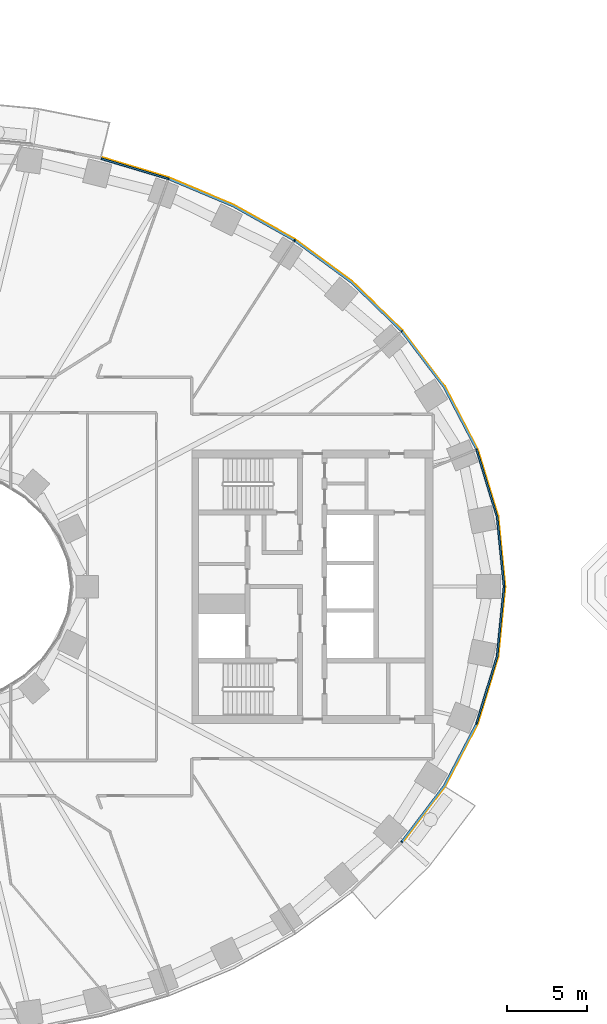
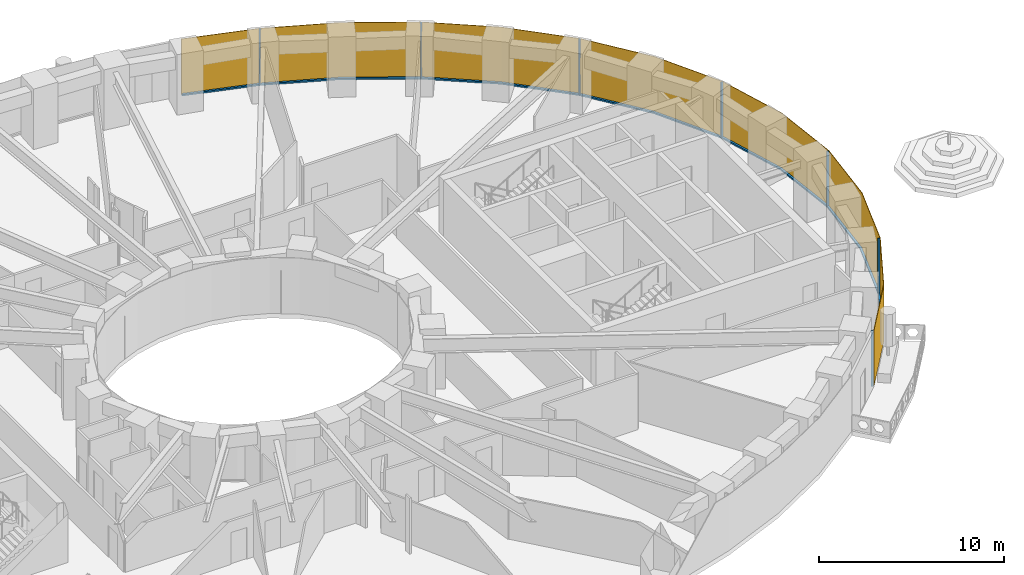
# One storey, part 12 of 20: 14 members, 1 curtain wall.
"""IFC4 building model written with IfcOpenShell, lengths in metres."""

import ifcopenshell
import ifcopenshell.guid

model = None  # the IFC model being written
_history = None  # IfcOwnerHistory: only IFC2X3 demands one
_inside = {}  # id of a spatial element -> (the spatial element, [elements in it])
_under = {}  # id of a project, library or spatial element -> (it, [spatial elements below it])
_declared = {}  # id of a project -> (the project, [libraries it declares])
_typed = {}  # id of a type object -> (the type object, [elements of that type])
_made_of = {}  # id of a material, layer set ... -> (it, [elements and type objects made of it])


def new_model(schema):
    """Start an empty IFC model of exactly this schema.

    Asked for "IFC4X3", IfcOpenShell would pick the latest addendum, in which some entities
    have other attributes; the version numbers below select the first issue.
    IFC2X3 requires an IfcOwnerHistory on every rooted entity: one is made here for all.
    """
    global model, _history
    if schema == "IFC4X3":
        model = ifcopenshell.file(schema_version=(4, 3, 0, 0))
    else:
        model = ifcopenshell.file(schema=schema)
    _inside.clear()
    _under.clear()
    _declared.clear()
    _typed.clear()
    _made_of.clear()
    _history = None
    if model.schema == "IFC2X3":
        org = make("IfcOrganization", Name="unknown")
        user = make(
            "IfcPersonAndOrganization",
            ThePerson=make("IfcPerson", FamilyName="unknown"),
            TheOrganization=org,
        )
        app = make(
            "IfcApplication",
            ApplicationDeveloper=org,
            Version="unknown",
            ApplicationFullName="unknown",
            ApplicationIdentifier="unknown",
        )
        _history = make(
            "IfcOwnerHistory",
            OwningUser=user,
            OwningApplication=app,
            ChangeAction="ADDED",
            CreationDate=0,
        )
    return model


def make(cls, **values):
    """One entity of the class cls with the attributes given. An attribute that is None is left unset."""
    return model.create_entity(
        cls, **{name: value for name, value in values.items() if value is not None}
    )


def rooted(cls, **values):
    """An entity with a GlobalId (a new one), such as an element, a storey or a relation."""
    return make(cls, GlobalId=ifcopenshell.guid.new(), OwnerHistory=_history, **values)


def si_unit(unit_type, name, prefix=None):
    """IfcSIUnit, for example si_unit("LENGTHUNIT", "METRE", prefix="MILLI")."""
    return make("IfcSIUnit", UnitType=unit_type, Prefix=prefix, Name=name)


def assignment(units):
    """IfcUnitAssignment: the units of a project."""
    return None if units is None else make("IfcUnitAssignment", Units=units)


def point(xyz):
    """IfcCartesianPoint."""
    return None if xyz is None else make("IfcCartesianPoint", Coordinates=xyz)


def direction(xyz):
    """IfcDirection."""
    return None if xyz is None else make("IfcDirection", DirectionRatios=xyz)


def frame(location, z_axis=None, x_axis=None):
    """IfcAxis2Placement3D, a coordinate frame: its origin and axes. An axis left out is left unset."""
    return make(
        "IfcAxis2Placement3D",
        Location=point(location),
        Axis=direction(z_axis),
        RefDirection=direction(x_axis),
    )


def frame_2d(location, x_axis=None):
    """IfcAxis2Placement2D, a coordinate frame in the plane: its origin and x axis."""
    return make(
        "IfcAxis2Placement2D", Location=point(location), RefDirection=direction(x_axis)
    )


def origin():
    """The frame at (0, 0, 0) with its axes left unset."""
    return frame((0.0, 0.0, 0.0))


def origin_2d():
    """The frame at (0, 0) in the plane with its x axis left unset."""
    return frame_2d((0.0, 0.0))


def place(relative_to, where):
    """IfcLocalPlacement: puts the frame where relative to a parent placement (None: the world)."""
    return make(
        "IfcLocalPlacement", PlacementRelTo=relative_to, RelativePlacement=where
    )


def context(
    kind, dimensions, precision=None, world=None, true_north=None, identifier=None
):
    """IfcGeometricRepresentationContext, for example the 3D "Model" context."""
    return make(
        "IfcGeometricRepresentationContext",
        ContextIdentifier=identifier,
        ContextType=kind,
        CoordinateSpaceDimension=dimensions,
        Precision=precision,
        WorldCoordinateSystem=world,
        TrueNorth=true_north,
    )


def subcontext(parent, identifier, kind, view, scale=None):
    """IfcGeometricRepresentationSubContext, for example "Body" below "Model"."""
    return make(
        "IfcGeometricRepresentationSubContext",
        ContextIdentifier=identifier,
        ContextType=kind,
        ParentContext=parent,
        TargetScale=scale,
        TargetView=view,
    )


def project(units=None, contexts=None):
    """IfcProject with its units and contexts."""
    return rooted(
        "IfcProject",
        Name="project",
        RepresentationContexts=contexts,
        UnitsInContext=assignment(units),
    )


def spatial(cls, under=None, at=None, **own):
    """A site, building, storey or space (cls), placed at a placement, below another one or the project."""
    s = rooted(cls, ObjectPlacement=at, **own)
    if under is not None:
        _under.setdefault(under.id(), (under, []))[1].append(s)
    return s


def polyline(points):
    """IfcPolyline through the points."""
    return make("IfcPolyline", Points=[point(p) for p in points])


def profile(cls, at=None, kind="AREA", **sizes):
    """A parametric profile (cls). Its sizes go by their IFC names, for example OverallWidth=200.0."""
    return make(cls, ProfileType=kind, Position=at, **sizes)


def rectangle(**sizes):
    """IfcRectangleProfileDef."""
    return profile("IfcRectangleProfileDef", **sizes)


def outline(outer, holes=None, kind="AREA"):
    """IfcArbitraryClosedProfileDef: a profile drawn as a closed curve; with holes, ...WithVoids."""
    if holes is None:
        return make("IfcArbitraryClosedProfileDef", ProfileType=kind, OuterCurve=outer)
    return make(
        "IfcArbitraryProfileDefWithVoids",
        ProfileType=kind,
        OuterCurve=outer,
        InnerCurves=holes,
    )


def extrude(swept, where, along, depth):
    """IfcExtrudedAreaSolid: the profile swept, set in the frame where, extruded along a direction by depth."""
    return make(
        "IfcExtrudedAreaSolid",
        SweptArea=swept,
        Position=where,
        ExtrudedDirection=direction(along),
        Depth=depth,
    )


def shape(context_of_items, identifier, shape_type, items):
    """IfcShapeRepresentation: the items that make up one representation, for example the "Body"."""
    return make(
        "IfcShapeRepresentation",
        ContextOfItems=context_of_items,
        RepresentationIdentifier=identifier,
        RepresentationType=shape_type,
        Items=items,
    )


def material(Name=None, Category=None):
    """IfcMaterial."""
    return make("IfcMaterial", Name=Name, Category=Category)


def layer(
    of_material, thickness, ventilated=None, Name=None, Category=None, Priority=None
):
    """IfcMaterialLayer: one layer of a wall or slab, of a material (None: an air gap)."""
    return make(
        "IfcMaterialLayer",
        Material=of_material,
        LayerThickness=thickness,
        IsVentilated=ventilated,
        Name=Name,
        Category=Category,
        Priority=Priority,
    )


def layer_set(layers, Name=None):
    """IfcMaterialLayerSet."""
    return make("IfcMaterialLayerSet", MaterialLayers=layers, LayerSetName=Name)


def material_profile(
    of_material, cross_section, Name=None, Category=None, Priority=None
):
    """IfcMaterialProfile: a cross section and its material."""
    return make(
        "IfcMaterialProfile",
        Name=Name,
        Material=of_material,
        Profile=cross_section,
        Priority=Priority,
        Category=Category,
    )


def profile_set(profiles, Name=None, composite=None):
    """IfcMaterialProfileSet."""
    return make(
        "IfcMaterialProfileSet",
        Name=Name,
        MaterialProfiles=profiles,
        CompositeProfile=composite,
    )


def made_of(thing, what):
    """Note that an element or type object is made of a material, layer set ...; save() writes the relation."""
    if what is not None:
        _made_of.setdefault(what.id(), (what, []))[1].append(thing)
    return thing


def type_object(cls, material=None, **own):
    """A type object (cls), such as IfcWallType, which elements share."""
    return made_of(rooted(cls, **own), material)


def element(
    cls,
    number,
    at=None,
    inside=None,
    cuts=None,
    type_object=None,
    material=None,
    context=None,
    identifier="Body",
    shape_type=None,
    held_by="IfcProductDefinitionShape",
    body=None,
    shapes=None,
    **own,
):
    """One element of the class cls, such as IfcWall. Its Tag is "e" and its number.

    at: its placement. inside: the storey or other place that contains it. cuts: it is an
    opening in that element (IfcRelVoidsElement). A single representation is given by context,
    identifier, shape_type and body (its items); several are given by shapes. held_by: the class
    of the entity that holds the representations. save() writes the other relations.
    """
    e = rooted(cls, Tag="e%d" % number, ObjectPlacement=at, **own)
    if body is not None:
        shapes = [shape(context, identifier, shape_type, body)]
    if shapes is not None:
        e.Representation = make(held_by, Representations=shapes)
    if inside is not None:
        _inside.setdefault(inside.id(), (inside, []))[1].append(e)
    if cuts is not None:
        rooted(
            "IfcRelVoidsElement", RelatingBuildingElement=cuts, RelatedOpeningElement=e
        )
    if type_object is not None:
        _typed.setdefault(type_object.id(), (type_object, []))[1].append(e)
    return made_of(e, material)


def aggregate(whole, parts):
    """IfcRelAggregates: a whole, such as a stair, and the parts it consists of."""
    return rooted("IfcRelAggregates", RelatingObject=whole, RelatedObjects=parts)


def save(model, path):
    """Write the relations noted so far, then the file.

    IfcRelAggregates (storeys below a building ...), IfcRelContainedInSpatialStructure (elements
    in a storey), IfcRelDefinesByType, IfcRelAssociatesMaterial and IfcRelDeclares: one each for
    every whole, place, type object, material and project.
    """
    for whole, parts in _under.values():
        aggregate(whole, parts)
    for where, things in _inside.values():
        rooted(
            "IfcRelContainedInSpatialStructure",
            RelatedElements=things,
            RelatingStructure=where,
        )
    for kind, things in _typed.values():
        rooted("IfcRelDefinesByType", RelatedObjects=things, RelatingType=kind)
    for what, things in _made_of.values():
        rooted("IfcRelAssociatesMaterial", RelatedObjects=things, RelatingMaterial=what)
    for by, libraries in _declared.values():
        rooted("IfcRelDeclares", RelatingContext=by, RelatedDefinitions=libraries)
    model.write(path)


model = new_model("IFC4")

# Units and contexts
model_context = context("Model", 3, precision=1e-05, world=origin(), true_north=direction((0.0, 1.0)))
body_context = subcontext(model_context, "Body", "Model", "MODEL_VIEW")
ifc_project = project(units=[si_unit("LENGTHUNIT", "METRE"), si_unit("AREAUNIT", "SQUARE_METRE"), si_unit("VOLUMEUNIT", "CUBIC_METRE"), si_unit("PLANEANGLEUNIT", "RADIAN"), si_unit("MASSUNIT", "GRAM", prefix="KILO")], contexts=[model_context])

# Member
ifc_material_1 = material(Name="Aluminium 6063-T6 black anodised", Category="aluminium")
ifc_material_profile = material_profile(ifc_material_1, rectangle(XDim=0.1201171875, YDim=0.06005859375, at=origin_2d()), Name="120x60")
ifc_profile_set = profile_set([ifc_material_profile], Name="Aluminium 6063-T6 black anodised")
member_type_1 = type_object("IfcMemberType", Name="ENV-MULLION-A-120", PredefinedType="MULLION", material=ifc_profile_set)
site_placement = place(None, origin())
building_placement = place(site_placement, origin())
storey_placement = place(building_placement, frame((0.0, 0.0, 34.5)))
member_1_placement = place(storey_placement, frame((29.53857421875, -15.8671875, 0.0), z_axis=(0.0, 0.0, 1.0), x_axis=(-0.749047221705, 0.662516610853, 0.0)))
member_1 = element("IfcMember", 1, at=member_1_placement, type_object=member_type_1, Name="Mullion A radial 43", PredefinedType="MULLION", context=body_context, shape_type="SweptSolid", body=[
    extrude(rectangle(XDim=0.1201171875, YDim=0.06005859375, at=origin_2d()), origin(), (0.0, 0.0, 1.0), 3.699951171875),
])

member_2_placement = place(storey_placement, frame((34.19580078125, -8.513916015625, 0.0), z_axis=(0.0, 0.0, 1.0), x_axis=(-0.92546738067, 0.378827305398, 0.0)))
member_2 = element("IfcMember", 2, at=member_2_placement, type_object=member_type_1, Name="Mullion A radial 45", PredefinedType="MULLION", context=body_context, shape_type="SweptSolid", body=[
    extrude(rectangle(XDim=0.1201171875, YDim=0.06005859375, at=origin_2d()), origin(), (0.0, 0.0, 1.0), 3.699951171875),
])

member_3_placement = place(storey_placement, frame((35.907958984375, 0.0, 0.0), z_axis=(0.0, 0.0, 1.0), x_axis=(-1.0, 0.0, 0.0)))
member_3 = element("IfcMember", 3, at=member_3_placement, type_object=member_type_1, Name="Mullion A radial 01", PredefinedType="MULLION", context=body_context, shape_type="SweptSolid", body=[
    extrude(rectangle(XDim=0.1201171875, YDim=0.06005859375, at=origin_2d()), origin(), (0.0, 0.0, 1.0), 3.699951171875),
])

member_4_placement = place(storey_placement, frame((34.19580078125, 8.513916015625, 0.0), z_axis=(0.0, 0.0, 1.0), x_axis=(-0.92546738067, -0.378827305398, 0.0)))
member_4 = element("IfcMember", 4, at=member_4_placement, type_object=member_type_1, Name="Mullion A radial 03", PredefinedType="MULLION", context=body_context, shape_type="SweptSolid", body=[
    extrude(rectangle(XDim=0.1201171875, YDim=0.06005859375, at=origin_2d()), origin(), (0.0, 0.0, 1.0), 3.699951171875),
])

member_5_placement = place(storey_placement, frame((29.53857421875, 15.8671875, 0.0), z_axis=(0.0, 0.0, 1.0), x_axis=(-0.749047221705, -0.662516610853, 0.0)))
member_5 = element("IfcMember", 5, at=member_5_placement, type_object=member_type_1, Name="Mullion A radial 05", PredefinedType="MULLION", context=body_context, shape_type="SweptSolid", body=[
    extrude(rectangle(XDim=0.1201171875, YDim=0.06005859375, at=origin_2d()), origin(), (0.0, 0.0, 1.0), 3.699951171875),
])

member_6_placement = place(storey_placement, frame((22.882568359375, 21.506591796875, 0.0), z_axis=(0.0, 0.0, 1.0), x_axis=(-0.542279153225, -0.840198381323, 0.0)))
member_6 = element("IfcMember", 6, at=member_6_placement, type_object=member_type_1, Name="Mullion A radial 07", PredefinedType="MULLION", context=body_context, shape_type="SweptSolid", body=[
    extrude(rectangle(XDim=0.1201171875, YDim=0.06005859375, at=origin_2d()), origin(), (0.0, 0.0, 1.0), 3.699951171875),
])

member_7_placement = place(storey_placement, frame((15.0341796875, 25.34375, 0.0), z_axis=(0.0, 0.0, 1.0), x_axis=(-0.338379256581, -0.941009818608, 0.0)))
member_7 = element("IfcMember", 7, at=member_7_placement, type_object=member_type_1, Name="Mullion A radial 09", PredefinedType="MULLION", context=body_context, shape_type="SweptSolid", body=[
    extrude(rectangle(XDim=0.1201171875, YDim=0.06005859375, at=origin_2d()), origin(), (0.0, 0.0, 1.0), 3.699951171875),
])

ifc_material_2 = material(Name="Aluminium 6063-T6 black anodised", Category="aluminium")
member_type_2 = type_object("IfcMemberType", Name="ENV-TRANSOM-A", PredefinedType="USERDEFINED", material=ifc_material_2)
member_8_placement = place(storey_placement, origin())
member_8 = element("IfcMember", 8, at=member_8_placement, type_object=member_type_2, Name="Transom A radial 43-45", ObjectType="TRANSOM", PredefinedType="USERDEFINED", context=body_context, shape_type="SweptSolid", body=[
    extrude(outline(polyline([(29.6005859375, -15.884521484375), (32.22802734375, -12.41748046875), (34.23828125, -8.5615234375), (34.126708984375, -8.515869140625), (32.126220703125, -12.35302734375), (29.51025390625, -15.8046875), (29.6005859375, -15.884521484375)])), origin(), (0.0, 0.0, 1.0), 0.10009765625),
])

member_9_placement = place(storey_placement, origin())
member_9 = element("IfcMember", 9, at=member_9_placement, type_object=member_type_2, Name="Transom A radial 45-01", ObjectType="TRANSOM", PredefinedType="USERDEFINED", context=body_context, shape_type="SweptSolid", body=[
    extrude(outline(polyline([(34.259521484375, -8.509765625), (35.529541015625, -4.352294921875), (35.965087890625, -0.02783203125), (35.844482421875, -0.02783203125), (35.411376953125, -4.32861328125), (34.14794921875, -8.464111328125), (34.259521484375, -8.509765625)])), origin(), (0.0, 0.0, 1.0), 0.10009765625),
])

member_10_placement = place(storey_placement, origin())
member_10 = element("IfcMember", 10, at=member_10_placement, type_object=member_type_2, Name="Transom A radial 01-03", ObjectType="TRANSOM", PredefinedType="USERDEFINED", context=body_context, shape_type="SweptSolid", body=[
    extrude(outline(polyline([(35.965087890625, 0.02783203125), (35.529541015625, 4.352294921875), (34.259521484375, 8.509765625), (34.14794921875, 8.464111328125), (35.411376953125, 4.32861328125), (35.844482421875, 0.02783203125), (35.965087890625, 0.02783203125)])), origin(), (0.0, 0.0, 1.0), 0.10009765625),
])

member_11_placement = place(storey_placement, origin())
member_11 = element("IfcMember", 11, at=member_11_placement, type_object=member_type_2, Name="Transom A radial 03-05", ObjectType="TRANSOM", PredefinedType="USERDEFINED", context=body_context, shape_type="SweptSolid", body=[
    extrude(outline(polyline([(34.23828125, 8.5615234375), (32.22802734375, 12.41748046875), (29.6005859375, 15.884521484375), (29.51025390625, 15.8046875), (32.126220703125, 12.35302734375), (34.126708984375, 8.515869140625), (34.23828125, 8.5615234375)])), origin(), (0.0, 0.0, 1.0), 0.10009765625),
])

member_12_placement = place(storey_placement, origin())
member_12 = element("IfcMember", 12, at=member_12_placement, type_object=member_type_2, Name="Transom A radial 05-07", ObjectType="TRANSOM", PredefinedType="USERDEFINED", context=body_context, shape_type="SweptSolid", body=[
    extrude(outline(polyline([(29.5634765625, 15.926513671875), (26.4423828125, 18.958740234375), (22.937744140625, 21.540283203125), (22.87255859375, 21.439208984375), (26.364501953125, 18.866943359375), (29.473388671875, 15.8466796875), (29.5634765625, 15.926513671875)])), origin(), (0.0, 0.0, 1.0), 0.10009765625),
])

member_13_placement = place(storey_placement, origin())
member_13 = element("IfcMember", 13, at=member_13_placement, type_object=member_type_2, Name="Transom A radial 07-09", ObjectType="TRANSOM", PredefinedType="USERDEFINED", context=body_context, shape_type="SweptSolid", body=[
    extrude(outline(polyline([(22.890625, 21.570556640625), (19.093994140625, 23.701416015625), (15.080322265625, 25.389404296875), (15.03955078125, 25.276123046875), (19.041259765625, 23.593505859375), (22.825439453125, 21.469482421875), (22.890625, 21.570556640625)])), origin(), (0.0, 0.0, 1.0), 0.10009765625),
])

member_14_placement = place(storey_placement, origin())
member_14 = element("IfcMember", 14, at=member_14_placement, type_object=member_type_2, Name="Transom A radial 09-10", ObjectType="TRANSOM", PredefinedType="USERDEFINED", context=body_context, shape_type="SweptSolid", body=[
    extrude(outline(polyline([(15.027587890625, 25.408203125), (10.876708984375, 26.657470703125), (10.847900390625, 26.540771484375), (14.987060546875, 25.295166015625), (15.027587890625, 25.408203125)])), origin(), (0.0, 0.0, 1.0), 0.10009765625),
])

# Site, building, storey
site = spatial("IfcSite", under=ifc_project, at=site_placement, CompositionType="ELEMENT")
building = spatial("IfcBuilding", under=site, at=building_placement, Name="Noorbagh Ring Tower", CompositionType="ELEMENT")
storey = spatial("IfcBuildingStorey", under=building, at=storey_placement, Name="L06", CompositionType="ELEMENT", Elevation=34.5)

# Curtain wall
ifc_material_3 = material(Name="Glass dark tinted laminated", Category="glass")
ifc_layer = layer(ifc_material_3, 0.031982421875)
ifc_layer_set = layer_set([ifc_layer], Name="Glass dark tinted laminated")
curtain_wall_type = type_object("IfcCurtainWallType", Name="ENV-CW-A", PredefinedType="NOTDEFINED", material=ifc_layer_set)
curtain_wall_placement = place(storey_placement, origin())
curtain_wall = element("IfcCurtainWall", 15, at=curtain_wall_placement, inside=storey, type_object=curtain_wall_type, Name="Curtain wall A R43", PredefinedType="NOTDEFINED", context=body_context, shape_type="SweptSolid", body=[
    extrude(outline(polyline([(29.61962890625, -15.912109375), (32.255126953125, -12.434814453125), (34.281005859375, -8.548828125), (35.561279296875, -4.358642578125), (36.0, 0.0), (35.561279296875, 4.358642578125), (34.281005859375, 8.548828125), (32.255126953125, 12.434814453125), (29.607666015625, 15.927978515625), (26.463134765625, 18.9833984375), (22.9326171875, 21.583740234375), (19.108154296875, 23.730224609375), (15.065185546875, 25.430419921875), (10.884521484375, 26.6884765625), (10.876708984375, 26.657470703125), (15.054443359375, 25.400146484375), (19.093994140625, 23.701416015625), (22.9150390625, 21.556884765625), (26.4423828125, 18.958740234375), (29.58349609375, 15.906982421875), (32.22802734375, 12.41748046875), (34.251220703125, 8.53662109375), (35.529541015625, 4.352294921875), (35.9677734375, 0.0), (35.529541015625, -4.352294921875), (34.251220703125, -8.53662109375), (32.22802734375, -12.41748046875), (29.595703125, -15.890869140625), (29.61962890625, -15.912109375)])), origin(), (0.0, 0.0, 1.0), 3.699951171875),
])

aggregate(curtain_wall, [member_1, member_2, member_3, member_4, member_5, member_6, member_7, member_8, member_9, member_10, member_11, member_12, member_13, member_14])

save(model, "model.ifc")
